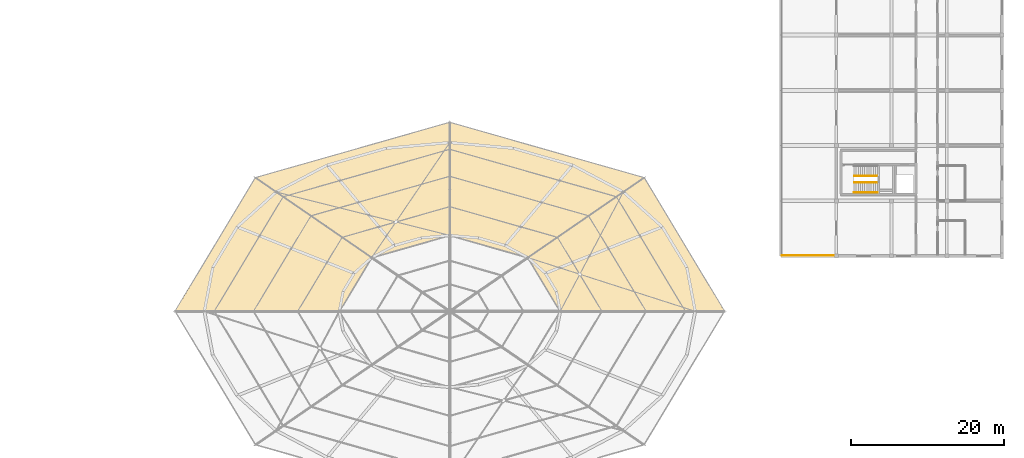
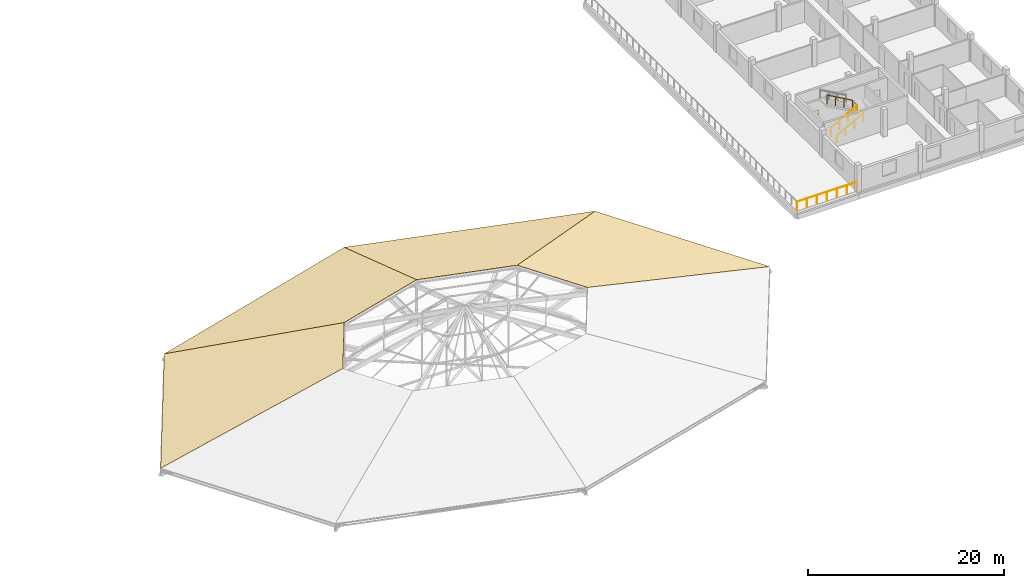
# One storey, part 65 of 66: 4 coverings, 4 railings.
"""IFC4 building model written with IfcOpenShell, lengths in metres."""

from ifc_helpers import new_model, si_unit, direction, frame, origin, origin_2d, place, context, subcontext, project, spatial, polyline, circle, outline, extrude, material, layer, layer_set, type_object, element, save


model = new_model("IFC4")

# Units and contexts
model_context = context("Model", 3, precision=1e-05, world=origin(), true_north=direction((0.0, 1.0)))
body_context = subcontext(model_context, "Body", "Model", "MODEL_VIEW")
ifc_project = project(units=[si_unit("LENGTHUNIT", "METRE"), si_unit("AREAUNIT", "SQUARE_METRE"), si_unit("VOLUMEUNIT", "CUBIC_METRE"), si_unit("PLANEANGLEUNIT", "RADIAN"), si_unit("MASSUNIT", "GRAM", prefix="KILO")], contexts=[model_context])

# Site, building, storey
site_placement = place(None, origin())
site = spatial("IfcSite", under=ifc_project, at=site_placement, CompositionType="ELEMENT")
building_placement = place(site_placement, origin())
building = spatial("IfcBuilding", under=site, at=building_placement, Name="Zornivar Specialist Clinic", CompositionType="ELEMENT")
storey_placement = place(building_placement, frame((0.0, 0.0, 16.0)))
storey = spatial("IfcBuildingStorey", under=building, at=storey_placement, Name="L04", CompositionType="ELEMENT", Elevation=16.0)

# Coverings
ifc_material_1 = material(Name="Standing-Seam Pre-Weathered Zinc Roofing")
ifc_layer = layer(ifc_material_1, 0.0400390625)
ifc_layer_set = layer_set([ifc_layer], Name="Standing-Seam Pre-Weathered Zinc Roofing")
covering_type = type_object("IfcCoveringType", Name="COV-ROOF-ZINC-40", PredefinedType="ROOFING", material=ifc_layer_set)
covering_1_placement = place(storey_placement, frame((129.43994140625, 57.60009765625, 0.0400390625), z_axis=(0.221040097264, 0.133188391607, 0.966127386913), x_axis=(-0.516097863282, 0.856529623255, -1.532911e-06)))
element("IfcCovering", 1, at=covering_1_placement, inside=storey, type_object=covering_type, Name="cov:V1:L04:low:0", PredefinedType="ROOFING", context=body_context, shape_type="SweptSolid", body=[
    extrude(outline(polyline([(0.0, 0.0), (20.341208045678222, 0.0), (19.237717651456663, 19.007966390525464), (11.065100429315223, 19.00779701828181), (0.0, 0.0)])), origin(), (0.0, 0.0, -1.0), 0.0400390625),
])
covering_2_placement = place(storey_placement, frame((118.94189453125, 75.02294921875, 0.0400390625), z_axis=(0.089564649607, 0.314488871378, 0.945026414086), x_axis=(-0.961758733459, 0.273898044191, 1.795906e-06)))
element("IfcCovering", 2, at=covering_2_placement, inside=storey, type_object=covering_type, Name="cov:V1:L04:low:1", PredefinedType="ROOFING", context=body_context, shape_type="SweptSolid", body=[
    extrude(outline(polyline([(0.0, 0.0), (26.34942788510722, 0.0), (22.31218219792421, 15.000988862902616), (11.725388021210764, 15.001191722795436), (0.0, 0.0)])), origin(), (0.0, 0.0, -1.0), 0.0400390625),
])
covering_3_placement = place(storey_placement, frame((93.60009765625, 82.239990234375, 0.0400390625), z_axis=(-0.089563589425, 0.314489471428, 0.945026314877), x_axis=(-0.961759460267, -0.273895492087, -1.461221e-06)))
element("IfcCovering", 3, at=covering_3_placement, inside=storey, type_object=covering_type, Name="cov:V1:L04:low:2", PredefinedType="ROOFING", context=body_context, shape_type="SweptSolid", body=[
    extrude(outline(polyline([(0.0, 0.0), (26.349662689627987, -1.7763568394002505e-15), (14.62423869159427, 15.001163602174374), (4.037209710908762, 15.000998545250157), (0.0, 0.0)])), origin(), (0.0, 0.0, -1.0), 0.0400390625),
])
covering_4_placement = place(storey_placement, frame((68.258056640625, 75.02294921875, 0.0400390625), z_axis=(-0.221040097264, 0.133188391607, 0.966127386913), x_axis=(-0.516097863282, -0.856529623255, 1.532911e-06)))
element("IfcCovering", 4, at=covering_4_placement, inside=storey, type_object=covering_type, Name="cov:V1:L04:low:3", PredefinedType="ROOFING", context=body_context, shape_type="SweptSolid", body=[
    extrude(outline(polyline([(0.0, 0.0), (20.341208045678222, 0.0), (9.276107616362998, 19.00779701828181), (1.103490394221556, 19.007966390525464), (0.0, 0.0)])), origin(), (0.0, 0.0, -1.0), 0.0400390625),
])

# Railings
ifc_material_2 = material(Name="Brushed Stainless Steel Stair Guardrail", Category="steel")
railing_type_1 = type_object("IfcRailingType", Name="GRD-INT-STAIR-1100", PredefinedType="GUARDRAIL", material=ifc_material_2)
railing_1_placement = place(storey_placement, frame((146.340087890625, 74.3798828125, 0.154052734375)))
element("IfcRailing", 5, at=railing_1_placement, inside=storey, type_object=railing_type_1, Name="stair:C9:L04:grd1", PredefinedType="GUARDRAIL", context=body_context, shape_type="SweptSolid", body=[
    extrude(circle(Radius=0.02392578125, at=origin_2d()), frame((0.0, 0.0, 1.076171875), z_axis=(0.870514015959, 0.0, 0.492143625396), x_axis=(0.0, 1.0, 0.0)), (0.0, 0.0, 1.0), 3.4462890625),
    extrude(circle(Radius=0.02099609375, at=origin_2d()), origin(), (0.0, 0.0, 1.0), 1.052001953125),
    extrude(circle(Radius=0.02099609375, at=origin_2d()), frame((1.0, 0.0, 0.5654296875)), (0.0, 0.0, 1.0), 1.052001953125),
    extrude(circle(Radius=0.02099609375, at=origin_2d()), frame((2.0, 0.0, 1.130615234375)), (0.0, 0.0, 1.0), 1.052001953125),
    extrude(circle(Radius=0.02099609375, at=origin_2d()), frame((3.0, 0.0, 1.696044921875)), (0.0, 0.0, 1.0), 1.052001953125),
])
railing_2_placement = place(storey_placement, frame((149.340087890625, 75.219970703125, 2.00390625)))
element("IfcRailing", 6, at=railing_2_placement, inside=storey, type_object=railing_type_1, Name="stair:C9:L04:grd2", PredefinedType="GUARDRAIL", context=body_context, shape_type="SweptSolid", body=[
    extrude(circle(Radius=0.02392578125, at=origin_2d()), frame((0.0, 0.0, 1.076171875), z_axis=(-0.869096283189, 0.0, 0.49464295259), x_axis=(0.0, -1.0, 0.0)), (0.0, 0.0, 1.0), 3.4287109375),
    extrude(circle(Radius=0.02099609375, at=origin_2d()), origin(), (0.0, 0.0, 1.0), 1.052001953125),
    extrude(circle(Radius=0.02099609375, at=origin_2d()), frame((-0.993408203125, 0.0, 0.5654296875)), (0.0, 0.0, 1.0), 1.052001953125),
    extrude(circle(Radius=0.02099609375, at=origin_2d()), frame((-1.986572265625, 0.0, 1.130615234375)), (0.0, 0.0, 1.0), 1.052001953125),
    extrude(circle(Radius=0.02099609375, at=origin_2d()), frame((-2.97998046875, 0.0, 1.696044921875)), (0.0, 0.0, 1.0), 1.052001953125),
])
ifc_material_3 = material(Name="Anodised Bronze Terrace Guardrail")
railing_type_2 = type_object("IfcRailingType", Name="GRD-TERR-GUARD-1120", PredefinedType="GUARDRAIL", material=ifc_material_3)
railing_3_placement = place(storey_placement, frame((136.8798828125, 64.8798828125, 0.0)))
element("IfcRailing", 7, at=railing_3_placement, inside=storey, type_object=railing_type_2, Name="rail:V6:L04:terr:0:0", PredefinedType="GUARDRAIL", context=body_context, shape_type="SweptSolid", body=[
    extrude(circle(Radius=0.02392578125, at=origin_2d()), frame((0.0, 0.0, 1.09619140625), z_axis=(1.0, 0.0, 0.0), x_axis=(0.0, 1.0, 0.0)), (0.0, 0.0, 1.0), 7.0400390625),
    extrude(circle(Radius=0.02099609375, at=origin_2d()), origin(), (0.0, 0.0, 1.0), 1.072021484375),
    extrude(circle(Radius=0.02099609375, at=origin_2d()), frame((1.17333984375, 0.0, 0.0)), (0.0, 0.0, 1.0), 1.072021484375),
    extrude(circle(Radius=0.02099609375, at=origin_2d()), frame((2.3466796875, 0.0, 0.0)), (0.0, 0.0, 1.0), 1.072021484375),
    extrude(circle(Radius=0.02099609375, at=origin_2d()), frame((3.52001953125, 0.0, 0.0)), (0.0, 0.0, 1.0), 1.072021484375),
    extrude(circle(Radius=0.02099609375, at=origin_2d()), frame((4.693359375, 0.0, 0.0)), (0.0, 0.0, 1.0), 1.072021484375),
    extrude(circle(Radius=0.02099609375, at=origin_2d()), frame((5.86669921875, 0.0, 0.0)), (0.0, 0.0, 1.0), 1.072021484375),
    extrude(circle(Radius=0.02099609375, at=origin_2d()), frame((7.0400390625, 0.0, 0.0)), (0.0, 0.0, 1.0), 1.072021484375),
])
ifc_material_4 = material(Name="Brushed Stainless Steel Continuous Handrail", Category="steel")
railing_type_3 = type_object("IfcRailingType", Name="HRL-STAIR-0920", PredefinedType="HANDRAIL", material=ifc_material_4)
railing_4_placement = place(storey_placement, frame((146.300048828125, 73.070068359375, 0.154052734375)))
element("IfcRailing", 8, at=railing_4_placement, inside=storey, type_object=railing_type_3, Name="stair:C9:L04:hr1", PredefinedType="HANDRAIL", context=body_context, shape_type="SweptSolid", body=[
    extrude(circle(Radius=0.02392578125, at=origin_2d()), frame((0.0, 0.0, 0.89599609375), z_axis=(0.875959224095, 0.0, 0.482385154957), x_axis=(0.0, 1.0, 0.0)), (0.0, 0.0, 1.0), 3.515869140625),
    extrude(circle(Radius=0.02099609375, at=origin_2d()), origin(), (0.0, 0.0, 1.0), 0.871826171875),
    extrude(circle(Radius=0.02099609375, at=origin_2d()), frame((1.026611328125, 0.0, 0.5654296875)), (0.0, 0.0, 1.0), 0.871826171875),
    extrude(circle(Radius=0.02099609375, at=origin_2d()), frame((2.05322265625, 0.0, 1.130615234375)), (0.0, 0.0, 1.0), 0.871826171875),
    extrude(circle(Radius=0.02099609375, at=origin_2d()), frame((3.079833984375, 0.0, 1.696044921875)), (0.0, 0.0, 1.0), 0.871826171875),
])

save(model, "model.ifc")
